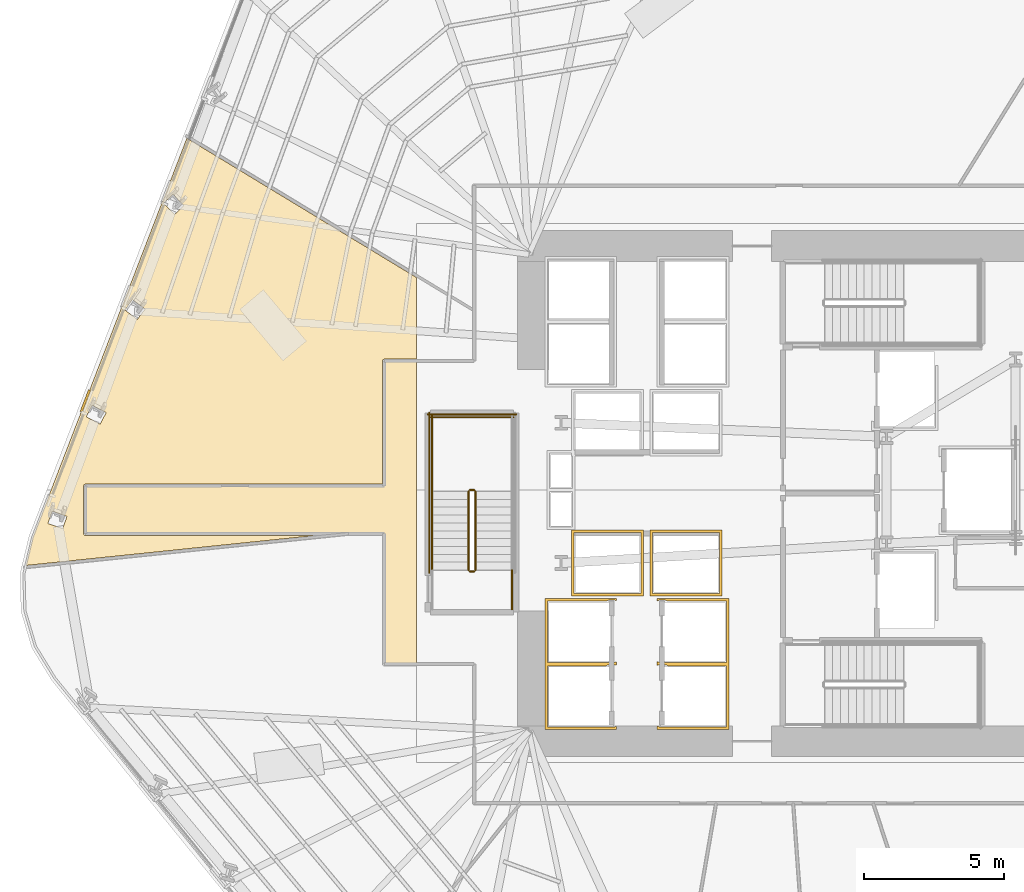
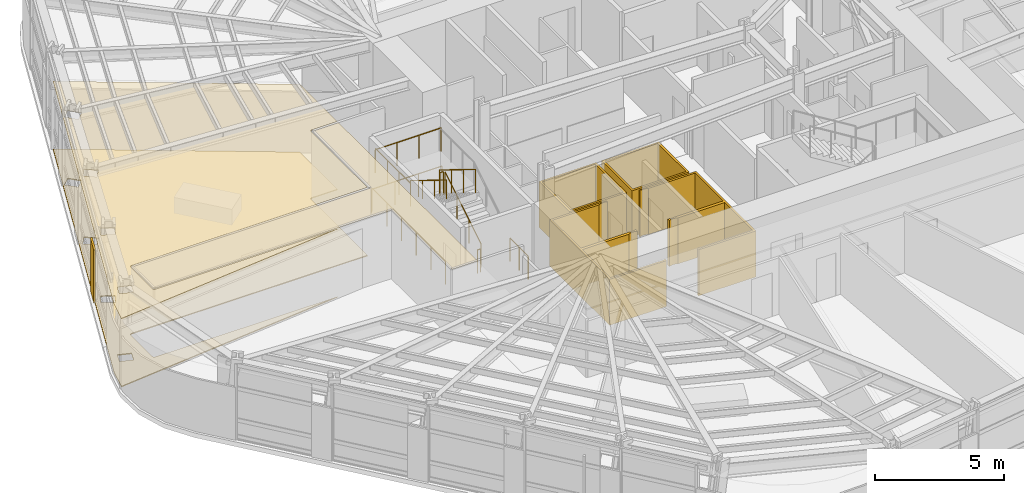
# One storey, part 11 of 16: 10 railings, 8 coverings.
"""IFC4 building model written with IfcOpenShell, lengths in metres."""

import ifcopenshell
import ifcopenshell.guid

model = None  # the IFC model being written
_history = None  # IfcOwnerHistory: only IFC2X3 demands one
_inside = {}  # id of a spatial element -> (the spatial element, [elements in it])
_under = {}  # id of a project, library or spatial element -> (it, [spatial elements below it])
_declared = {}  # id of a project -> (the project, [libraries it declares])
_typed = {}  # id of a type object -> (the type object, [elements of that type])
_made_of = {}  # id of a material, layer set ... -> (it, [elements and type objects made of it])


def new_model(schema):
    """Start an empty IFC model of exactly this schema.

    Asked for "IFC4X3", IfcOpenShell would pick the latest addendum, in which some entities
    have other attributes; the version numbers below select the first issue.
    IFC2X3 requires an IfcOwnerHistory on every rooted entity: one is made here for all.
    """
    global model, _history
    if schema == "IFC4X3":
        model = ifcopenshell.file(schema_version=(4, 3, 0, 0))
    else:
        model = ifcopenshell.file(schema=schema)
    _inside.clear()
    _under.clear()
    _declared.clear()
    _typed.clear()
    _made_of.clear()
    _history = None
    if model.schema == "IFC2X3":
        org = make("IfcOrganization", Name="unknown")
        user = make(
            "IfcPersonAndOrganization",
            ThePerson=make("IfcPerson", FamilyName="unknown"),
            TheOrganization=org,
        )
        app = make(
            "IfcApplication",
            ApplicationDeveloper=org,
            Version="unknown",
            ApplicationFullName="unknown",
            ApplicationIdentifier="unknown",
        )
        _history = make(
            "IfcOwnerHistory",
            OwningUser=user,
            OwningApplication=app,
            ChangeAction="ADDED",
            CreationDate=0,
        )
    return model


def make(cls, **values):
    """One entity of the class cls with the attributes given. An attribute that is None is left unset."""
    return model.create_entity(
        cls, **{name: value for name, value in values.items() if value is not None}
    )


def rooted(cls, **values):
    """An entity with a GlobalId (a new one), such as an element, a storey or a relation."""
    return make(cls, GlobalId=ifcopenshell.guid.new(), OwnerHistory=_history, **values)


def si_unit(unit_type, name, prefix=None):
    """IfcSIUnit, for example si_unit("LENGTHUNIT", "METRE", prefix="MILLI")."""
    return make("IfcSIUnit", UnitType=unit_type, Prefix=prefix, Name=name)


def assignment(units):
    """IfcUnitAssignment: the units of a project."""
    return None if units is None else make("IfcUnitAssignment", Units=units)


def point(xyz):
    """IfcCartesianPoint."""
    return None if xyz is None else make("IfcCartesianPoint", Coordinates=xyz)


def direction(xyz):
    """IfcDirection."""
    return None if xyz is None else make("IfcDirection", DirectionRatios=xyz)


def frame(location, z_axis=None, x_axis=None):
    """IfcAxis2Placement3D, a coordinate frame: its origin and axes. An axis left out is left unset."""
    return make(
        "IfcAxis2Placement3D",
        Location=point(location),
        Axis=direction(z_axis),
        RefDirection=direction(x_axis),
    )


def frame_2d(location, x_axis=None):
    """IfcAxis2Placement2D, a coordinate frame in the plane: its origin and x axis."""
    return make(
        "IfcAxis2Placement2D", Location=point(location), RefDirection=direction(x_axis)
    )


def origin():
    """The frame at (0, 0, 0) with its axes left unset."""
    return frame((0.0, 0.0, 0.0))


def origin_2d():
    """The frame at (0, 0) in the plane with its x axis left unset."""
    return frame_2d((0.0, 0.0))


def place(relative_to, where):
    """IfcLocalPlacement: puts the frame where relative to a parent placement (None: the world)."""
    return make(
        "IfcLocalPlacement", PlacementRelTo=relative_to, RelativePlacement=where
    )


def context(
    kind, dimensions, precision=None, world=None, true_north=None, identifier=None
):
    """IfcGeometricRepresentationContext, for example the 3D "Model" context."""
    return make(
        "IfcGeometricRepresentationContext",
        ContextIdentifier=identifier,
        ContextType=kind,
        CoordinateSpaceDimension=dimensions,
        Precision=precision,
        WorldCoordinateSystem=world,
        TrueNorth=true_north,
    )


def subcontext(parent, identifier, kind, view, scale=None):
    """IfcGeometricRepresentationSubContext, for example "Body" below "Model"."""
    return make(
        "IfcGeometricRepresentationSubContext",
        ContextIdentifier=identifier,
        ContextType=kind,
        ParentContext=parent,
        TargetScale=scale,
        TargetView=view,
    )


def project(units=None, contexts=None):
    """IfcProject with its units and contexts."""
    return rooted(
        "IfcProject",
        Name="project",
        RepresentationContexts=contexts,
        UnitsInContext=assignment(units),
    )


def spatial(cls, under=None, at=None, **own):
    """A site, building, storey or space (cls), placed at a placement, below another one or the project."""
    s = rooted(cls, ObjectPlacement=at, **own)
    if under is not None:
        _under.setdefault(under.id(), (under, []))[1].append(s)
    return s


def polyline(points):
    """IfcPolyline through the points."""
    return make("IfcPolyline", Points=[point(p) for p in points])


def profile(cls, at=None, kind="AREA", **sizes):
    """A parametric profile (cls). Its sizes go by their IFC names, for example OverallWidth=200.0."""
    return make(cls, ProfileType=kind, Position=at, **sizes)


def circle(**sizes):
    """IfcCircleProfileDef."""
    return profile("IfcCircleProfileDef", **sizes)


def outline(outer, holes=None, kind="AREA"):
    """IfcArbitraryClosedProfileDef: a profile drawn as a closed curve; with holes, ...WithVoids."""
    if holes is None:
        return make("IfcArbitraryClosedProfileDef", ProfileType=kind, OuterCurve=outer)
    return make(
        "IfcArbitraryProfileDefWithVoids",
        ProfileType=kind,
        OuterCurve=outer,
        InnerCurves=holes,
    )


def extrude(swept, where, along, depth):
    """IfcExtrudedAreaSolid: the profile swept, set in the frame where, extruded along a direction by depth."""
    return make(
        "IfcExtrudedAreaSolid",
        SweptArea=swept,
        Position=where,
        ExtrudedDirection=direction(along),
        Depth=depth,
    )


def shape(context_of_items, identifier, shape_type, items):
    """IfcShapeRepresentation: the items that make up one representation, for example the "Body"."""
    return make(
        "IfcShapeRepresentation",
        ContextOfItems=context_of_items,
        RepresentationIdentifier=identifier,
        RepresentationType=shape_type,
        Items=items,
    )


def material(Name=None, Category=None):
    """IfcMaterial."""
    return make("IfcMaterial", Name=Name, Category=Category)


def layer(
    of_material, thickness, ventilated=None, Name=None, Category=None, Priority=None
):
    """IfcMaterialLayer: one layer of a wall or slab, of a material (None: an air gap)."""
    return make(
        "IfcMaterialLayer",
        Material=of_material,
        LayerThickness=thickness,
        IsVentilated=ventilated,
        Name=Name,
        Category=Category,
        Priority=Priority,
    )


def layer_set(layers, Name=None):
    """IfcMaterialLayerSet."""
    return make("IfcMaterialLayerSet", MaterialLayers=layers, LayerSetName=Name)


def made_of(thing, what):
    """Note that an element or type object is made of a material, layer set ...; save() writes the relation."""
    if what is not None:
        _made_of.setdefault(what.id(), (what, []))[1].append(thing)
    return thing


def type_object(cls, material=None, **own):
    """A type object (cls), such as IfcWallType, which elements share."""
    return made_of(rooted(cls, **own), material)


def element(
    cls,
    number,
    at=None,
    inside=None,
    cuts=None,
    type_object=None,
    material=None,
    context=None,
    identifier="Body",
    shape_type=None,
    held_by="IfcProductDefinitionShape",
    body=None,
    shapes=None,
    **own,
):
    """One element of the class cls, such as IfcWall. Its Tag is "e" and its number.

    at: its placement. inside: the storey or other place that contains it. cuts: it is an
    opening in that element (IfcRelVoidsElement). A single representation is given by context,
    identifier, shape_type and body (its items); several are given by shapes. held_by: the class
    of the entity that holds the representations. save() writes the other relations.
    """
    e = rooted(cls, Tag="e%d" % number, ObjectPlacement=at, **own)
    if body is not None:
        shapes = [shape(context, identifier, shape_type, body)]
    if shapes is not None:
        e.Representation = make(held_by, Representations=shapes)
    if inside is not None:
        _inside.setdefault(inside.id(), (inside, []))[1].append(e)
    if cuts is not None:
        rooted(
            "IfcRelVoidsElement", RelatingBuildingElement=cuts, RelatedOpeningElement=e
        )
    if type_object is not None:
        _typed.setdefault(type_object.id(), (type_object, []))[1].append(e)
    return made_of(e, material)


def aggregate(whole, parts):
    """IfcRelAggregates: a whole, such as a stair, and the parts it consists of."""
    return rooted("IfcRelAggregates", RelatingObject=whole, RelatedObjects=parts)


def save(model, path):
    """Write the relations noted so far, then the file.

    IfcRelAggregates (storeys below a building ...), IfcRelContainedInSpatialStructure (elements
    in a storey), IfcRelDefinesByType, IfcRelAssociatesMaterial and IfcRelDeclares: one each for
    every whole, place, type object, material and project.
    """
    for whole, parts in _under.values():
        aggregate(whole, parts)
    for where, things in _inside.values():
        rooted(
            "IfcRelContainedInSpatialStructure",
            RelatedElements=things,
            RelatingStructure=where,
        )
    for kind, things in _typed.values():
        rooted("IfcRelDefinesByType", RelatedObjects=things, RelatingType=kind)
    for what, things in _made_of.values():
        rooted("IfcRelAssociatesMaterial", RelatedObjects=things, RelatingMaterial=what)
    for by, libraries in _declared.values():
        rooted("IfcRelDeclares", RelatingContext=by, RelatedDefinitions=libraries)
    model.write(path)


model = new_model("IFC4")

# Units and contexts
model_context = context("Model", 3, precision=1e-05, world=origin(), true_north=direction((0.0, 1.0)))
body_context = subcontext(model_context, "Body", "Model", "MODEL_VIEW")
ifc_project = project(units=[si_unit("LENGTHUNIT", "METRE"), si_unit("AREAUNIT", "SQUARE_METRE"), si_unit("VOLUMEUNIT", "CUBIC_METRE"), si_unit("PLANEANGLEUNIT", "RADIAN"), si_unit("MASSUNIT", "GRAM", prefix="KILO")], contexts=[model_context])

# Site, building, storey
site_placement = place(None, origin())
site = spatial("IfcSite", under=ifc_project, at=site_placement, CompositionType="ELEMENT")
building_placement = place(site_placement, origin())
building = spatial("IfcBuilding", under=site, at=building_placement, Name="Valkerne Bourse Tower", CompositionType="ELEMENT")
storey_placement = place(building_placement, frame((0.0, 0.0, 62.0)))
storey = spatial("IfcBuildingStorey", under=building, at=storey_placement, Name="L15", CompositionType="ELEMENT", Elevation=62.0)

# Coverings
ifc_material_1 = material(Name="Mineral Fiber Acoustic Ceiling Tile", Category="acoustic")
ifc_layer_1 = layer(ifc_material_1, 0.02490234375)
ifc_layer_set_1 = layer_set([ifc_layer_1], Name="Mineral Fiber Acoustic Ceiling Tile")
covering_type_1 = type_object("IfcCoveringType", Name="COV-CEIL-ACT", PredefinedType="CEILING", material=ifc_layer_set_1)
covering_1_placement = place(storey_placement, frame((0.0, 0.0, 3.22998046875)))
element("IfcCovering", 1, at=covering_1_placement, inside=storey, type_object=covering_type_1, Name="L15 Suspended Ceiling 05", PredefinedType="CEILING", context=body_context, shape_type="SweptSolid", body=[
    extrude(outline(polyline([(33.60009765625, 34.573974609375), (33.60009765625, 31.6689453125), (32.449462890625, 31.6689453125), (32.419921875, 31.662109375), (32.39404296875, 31.640625), (32.381103515625, 31.6005859375), (32.381103515625, 27.218994140625), (21.79931640625, 27.218994140625), (21.75830078125, 27.205322265625), (21.73291015625, 27.16650390625), (21.731201171875, 25.446533203125), (21.744873046875, 25.408203125), (21.783447265625, 25.3828125), (29.976806640625, 25.381103515625), (19.678466796875, 24.315673828125), (19.917236328125, 25.309814453125), (25.409912109375, 39.5419921875), (33.60009765625, 34.573974609375)]), holes=[polyline([(21.1337890625, 26.063720703125), (20.607421875, 26.243408203125), (20.45849609375, 25.813232421875), (20.458740234375, 25.8095703125), (20.985107421875, 25.629638671875), (21.1337890625, 26.059814453125), (21.1337890625, 26.063720703125)]), polyline([(22.5302734375, 29.7578125), (22.53076171875, 29.761474609375), (22.037109375, 30.017822265625), (21.82568359375, 29.6142578125), (21.8251953125, 29.610595703125), (22.319091796875, 29.3544921875), (22.5302734375, 29.7578125)]), polyline([(23.920166015625, 33.453125), (23.47412109375, 33.78564453125), (23.20068359375, 33.421142578125), (23.19970703125, 33.417724609375), (23.6455078125, 33.08544921875), (23.919189453125, 33.44970703125), (23.920166015625, 33.453125)]), polyline([(25.29833984375, 37.1396484375), (25.2998046875, 37.142822265625), (24.914794921875, 37.544189453125), (24.5849609375, 37.22998046875), (24.58349609375, 37.226806640625), (24.968505859375, 36.825439453125), (25.29833984375, 37.1396484375)])]), origin(), (0.0, 0.0, 1.0), 0.02490234375),
])
ifc_material_2 = material(Name="Bronze Anodised Aluminium AA 6063-T6", Category="aluminium")
ifc_layer_2 = layer(ifc_material_2, 0.030029296875)
ifc_layer_set_2 = layer_set([ifc_layer_2], Name="Bronze Anodised Aluminium AA 6063-T6")
covering_type_2 = type_object("IfcCoveringType", Name="COV-CEIL-METAL", PredefinedType="CEILING", material=ifc_layer_set_2)
covering_2_placement = place(storey_placement, frame((0.0, 0.0, 3.22998046875)))
element("IfcCovering", 2, at=covering_2_placement, inside=storey, type_object=covering_type_2, Name="L15 Suspended Ceiling 02", PredefinedType="CEILING", context=body_context, shape_type="SweptSolid", body=[
    extrude(outline(polyline([(32.4541015625, 20.803955078125), (32.4541015625, 25.4541015625), (21.803955078125, 25.4541015625), (21.803955078125, 27.14599609375), (32.4541015625, 27.14599609375), (32.4541015625, 31.595947265625), (33.60009765625, 31.595947265625), (33.60009765625, 20.803955078125), (32.4541015625, 20.803955078125)])), origin(), (0.0, 0.0, 1.0), 0.02490234375),
])
ifc_layer_3 = layer(ifc_material_2, 0.06005859375)
ifc_layer_set_3 = layer_set([ifc_layer_3], Name="Bronze Anodised Aluminium AA 6063-T6")
covering_type_3 = type_object("IfcCoveringType", Name="COV-CRN-ALUM", PredefinedType="CLADDING", material=ifc_layer_set_3)
covering_3_placement = place(storey_placement, origin())
element("IfcCovering", 3, at=covering_3_placement, inside=storey, type_object=covering_type_3, Name="L15 Wind-Shaped Corner Aluminium Cladding 12", PredefinedType="CLADDING", context=body_context, shape_type="SweptSolid", body=[
    extrude(outline(polyline([(21.906005859375, 30.58544921875), (21.980712890625, 30.556640625), (21.67822265625, 29.77294921875), (21.603515625, 29.801513671875), (21.906005859375, 30.58544921875)])), origin(), (0.0, 0.0, 1.0), 2.5),
])
ifc_material_3 = material(Name="Galvanised Painted Steel", Category="steel")
ifc_layer_4 = layer(ifc_material_3, 0.044921875)
ifc_layer_set_4 = layer_set([ifc_layer_4], Name="Galvanised Painted Steel")
covering_type_4 = type_object("IfcCoveringType", Name="COV-FLR-RAF", PredefinedType="FLOORING", material=ifc_layer_set_4)
covering_4_placement = place(storey_placement, origin())
element("IfcCovering", 4, at=covering_4_placement, inside=storey, type_object=covering_type_4, Name="L15 Floor Finish 05", PredefinedType="FLOORING", context=body_context, shape_type="SweptSolid", body=[
    extrude(outline(polyline([(33.60009765625, 34.573974609375), (33.60009765625, 31.6689453125), (32.449462890625, 31.6689453125), (32.419921875, 31.662109375), (32.39404296875, 31.640625), (32.381103515625, 31.6005859375), (32.381103515625, 27.218994140625), (21.79931640625, 27.218994140625), (21.75830078125, 27.205322265625), (21.73291015625, 27.16650390625), (21.731201171875, 25.446533203125), (21.744873046875, 25.408203125), (21.783447265625, 25.3828125), (29.976806640625, 25.381103515625), (19.678466796875, 24.315673828125), (19.917236328125, 25.309814453125), (25.409912109375, 39.5419921875), (33.60009765625, 34.573974609375)]), holes=[polyline([(21.1337890625, 26.063720703125), (20.607421875, 26.243408203125), (20.45849609375, 25.813232421875), (20.458740234375, 25.8095703125), (20.985107421875, 25.629638671875), (21.1337890625, 26.059814453125), (21.1337890625, 26.063720703125)]), polyline([(22.5302734375, 29.7578125), (22.53076171875, 29.761474609375), (22.037109375, 30.017822265625), (21.82568359375, 29.6142578125), (21.8251953125, 29.610595703125), (22.319091796875, 29.3544921875), (22.5302734375, 29.7578125)]), polyline([(23.920166015625, 33.453125), (23.47412109375, 33.78564453125), (23.20068359375, 33.421142578125), (23.19970703125, 33.417724609375), (23.6455078125, 33.08544921875), (23.919189453125, 33.44970703125), (23.920166015625, 33.453125)]), polyline([(25.29833984375, 37.1396484375), (25.2998046875, 37.142822265625), (24.914794921875, 37.544189453125), (24.5849609375, 37.22998046875), (24.58349609375, 37.226806640625), (24.968505859375, 36.825439453125), (25.29833984375, 37.1396484375)])]), origin(), (0.0, 0.0, 1.0), 0.044921875),
])
ifc_material_4 = material(Name="Gypsum Shaftwall Liner Board", Category="gypsum")
ifc_layer_5 = layer(ifc_material_4, 0.080078125)
ifc_layer_set_5 = layer_set([ifc_layer_5], Name="Gypsum Shaftwall Liner Board")
covering_type_5 = type_object("IfcCoveringType", Name="COV-SHF-CLAD", PredefinedType="CLADDING", material=ifc_layer_set_5)
covering_5_placement = place(storey_placement, origin())
element("IfcCovering", 5, at=covering_5_placement, inside=storey, type_object=covering_type_5, Name="L15 Hoistway & Riser Shaftwall Liner 01", PredefinedType="CLADDING", context=body_context, shape_type="SweptSolid", body=[
    extrude(outline(polyline([(38.169921875, 23.1298828125), (40.72998046875, 23.1298828125), (40.72998046875, 23.052001953125), (40.72216796875, 23.0556640625), (40.6806640625, 23.070556640625), (40.6376953125, 23.081298828125), (40.593994140625, 23.087890625), (40.550048828125, 23.090087890625), (40.505859375, 23.087890625), (40.462158203125, 23.081298828125), (40.41943359375, 23.070556640625), (40.377685546875, 23.0556640625), (40.344482421875, 23.0400390625), (38.260009765625, 23.0400390625), (38.260009765625, 20.860107421875), (40.456787109375, 20.860107421875), (40.462158203125, 20.858642578125), (40.505859375, 20.852294921875), (40.550048828125, 20.85009765625), (40.593994140625, 20.852294921875), (40.6376953125, 20.858642578125), (40.6806640625, 20.869384765625), (40.72216796875, 20.88427734375), (40.72998046875, 20.887939453125), (40.72998046875, 20.830078125), (40.72998046875, 20.77001953125), (40.72998046875, 20.752197265625), (40.72216796875, 20.755615234375), (40.6806640625, 20.7705078125), (40.6376953125, 20.781494140625), (40.593994140625, 20.787841796875), (40.550048828125, 20.7900390625), (40.505859375, 20.787841796875), (40.462158203125, 20.781494140625), (40.41943359375, 20.7705078125), (40.377685546875, 20.755615234375), (40.344482421875, 20.739990234375), (38.260009765625, 20.739990234375), (38.260009765625, 18.56005859375), (40.456787109375, 18.56005859375), (40.462158203125, 18.55859375), (40.505859375, 18.55224609375), (40.550048828125, 18.550048828125), (40.593994140625, 18.55224609375), (40.6376953125, 18.55859375), (40.6806640625, 18.5693359375), (40.72216796875, 18.584228515625), (40.72998046875, 18.587890625), (40.72998046875, 18.469970703125), (38.169921875, 18.469970703125), (38.169921875, 20.77001953125), (38.169921875, 20.830078125), (38.169921875, 23.1298828125)])), origin(), (0.0, 0.0, 1.0), 2.179931640625),
])
covering_6_placement = place(storey_placement, origin())
element("IfcCovering", 6, at=covering_6_placement, inside=storey, type_object=covering_type_5, Name="L15 Hoistway & Riser Shaftwall Liner 02", PredefinedType="CLADDING", context=body_context, shape_type="SweptSolid", body=[
    extrude(outline(polyline([(41.679931640625, 23.219970703125), (39.1201171875, 23.219970703125), (39.1201171875, 25.580078125), (41.679931640625, 25.580078125), (41.679931640625, 23.219970703125)]), holes=[polyline([(39.2099609375, 25.489990234375), (39.2099609375, 23.31005859375), (41.590087890625, 23.31005859375), (41.590087890625, 25.489990234375), (39.2099609375, 25.489990234375)])]), origin(), (0.0, 0.0, 1.0), 2.179931640625),
])
covering_7_placement = place(storey_placement, origin())
element("IfcCovering", 7, at=covering_7_placement, inside=storey, type_object=covering_type_5, Name="L15 Hoistway & Riser Shaftwall Liner 03", PredefinedType="CLADDING", context=body_context, shape_type="SweptSolid", body=[
    extrude(outline(polyline([(44.47998046875, 23.219970703125), (41.919921875, 23.219970703125), (41.919921875, 25.580078125), (44.47998046875, 25.580078125), (44.47998046875, 23.219970703125)]), holes=[polyline([(42.010009765625, 25.489990234375), (42.010009765625, 23.31005859375), (44.389892578125, 23.31005859375), (44.389892578125, 25.489990234375), (42.010009765625, 25.489990234375)])]), origin(), (0.0, 0.0, 1.0), 2.179931640625),
])
covering_8_placement = place(storey_placement, origin())
element("IfcCovering", 8, at=covering_8_placement, inside=storey, type_object=covering_type_5, Name="L15 Hoistway & Riser Shaftwall Liner 06", PredefinedType="CLADDING", context=body_context, shape_type="SweptSolid", body=[
    extrude(outline(polyline([(42.169921875, 20.830078125), (42.169921875, 20.887939453125), (42.177734375, 20.88427734375), (42.219482421875, 20.869384765625), (42.26220703125, 20.858642578125), (42.305908203125, 20.852294921875), (42.35009765625, 20.85009765625), (42.39404296875, 20.852294921875), (42.437744140625, 20.858642578125), (42.443115234375, 20.860107421875), (44.639892578125, 20.860107421875), (44.639892578125, 23.0400390625), (42.555419921875, 23.0400390625), (42.522216796875, 23.0556640625), (42.480712890625, 23.070556640625), (42.437744140625, 23.081298828125), (42.39404296875, 23.087890625), (42.35009765625, 23.090087890625), (42.305908203125, 23.087890625), (42.26220703125, 23.081298828125), (42.219482421875, 23.070556640625), (42.177734375, 23.0556640625), (42.169921875, 23.052001953125), (42.169921875, 23.1298828125), (44.72998046875, 23.1298828125), (44.72998046875, 20.830078125), (44.72998046875, 20.77001953125), (44.72998046875, 18.469970703125), (42.169921875, 18.469970703125), (42.169921875, 18.587890625), (42.177734375, 18.584228515625), (42.219482421875, 18.5693359375), (42.26220703125, 18.55859375), (42.305908203125, 18.55224609375), (42.35009765625, 18.550048828125), (42.39404296875, 18.55224609375), (42.437744140625, 18.55859375), (42.443115234375, 18.56005859375), (44.639892578125, 18.56005859375), (44.639892578125, 20.739990234375), (42.555419921875, 20.739990234375), (42.522216796875, 20.755615234375), (42.480712890625, 20.7705078125), (42.437744140625, 20.781494140625), (42.39404296875, 20.787841796875), (42.35009765625, 20.7900390625), (42.305908203125, 20.787841796875), (42.26220703125, 20.781494140625), (42.219482421875, 20.7705078125), (42.177734375, 20.755615234375), (42.169921875, 20.752197265625), (42.169921875, 20.77001953125), (42.169921875, 20.830078125)])), origin(), (0.0, 0.0, 1.0), 2.179931640625),
])

# Railings
railing_type_1 = type_object("IfcRailingType", Name="RLG-ST-GUARD-1120", PredefinedType="GUARDRAIL", material=ifc_material_3)
railing_1_placement = place(storey_placement, frame((35.699951171875, 24.14990234375, 0.172607421875)))
element("IfcRailing", 9, at=railing_1_placement, inside=storey, type_object=railing_type_1, Name="L15 ST-3 stair guard 1", PredefinedType="GUARDRAIL", context=body_context, shape_type="SweptSolid", body=[
    extrude(circle(Radius=0.02392578125, at=origin_2d()), frame((0.0, 0.0, 1.09619140625), z_axis=(0.0, 0.851089632645, 0.525020415988), x_axis=(-1.0, 0.0, 0.0)), (0.0, 0.0, 1.0), 3.2900390625),
    extrude(circle(Radius=0.02099609375, at=origin_2d()), origin(), (0.0, 0.0, 1.0), 1.072021484375),
    extrude(circle(Radius=0.02099609375, at=origin_2d()), frame((0.0, 0.933349609375, 0.57568359375)), (0.0, 0.0, 1.0), 1.072021484375),
    extrude(circle(Radius=0.02099609375, at=origin_2d()), frame((0.0, 1.86669921875, 1.151611328125)), (0.0, 0.0, 1.0), 1.072021484375),
    extrude(circle(Radius=0.02099609375, at=origin_2d()), frame((0.0, 2.800048828125, 1.727294921875)), (0.0, 0.0, 1.0), 1.072021484375),
])
railing_2_placement = place(storey_placement, frame((35.64990234375, 27.0, 1.89990234375)))
element("IfcRailing", 10, at=railing_2_placement, inside=storey, type_object=railing_type_1, Name="L15 ST-3 stair guard 2", PredefinedType="GUARDRAIL", context=body_context, shape_type="SweptSolid", body=[
    extrude(circle(Radius=0.02392578125, at=origin_2d()), frame((0.0, 0.0, 1.09619140625), z_axis=(-1.0, 0.0, 0.0), x_axis=(0.0, -1.0, 0.0)), (0.0, 0.0, 1.0), 0.14990234375),
    extrude(circle(Radius=0.02099609375, at=origin_2d()), origin(), (0.0, 0.0, 1.0), 1.072021484375),
    extrude(circle(Radius=0.02099609375, at=origin_2d()), frame((-0.14990234375, 0.0, 0.0)), (0.0, 0.0, 1.0), 1.072021484375),
])
railing_3_placement = place(storey_placement, frame((34.14990234375, 26.949951171875, 1.89990234375)))
element("IfcRailing", 11, at=railing_3_placement, inside=storey, type_object=railing_type_1, Name="L15 ST-3 stair guard 4", PredefinedType="GUARDRAIL", context=body_context, shape_type="SweptSolid", body=[
    extrude(circle(Radius=0.02392578125, at=origin_2d()), frame((0.0, 0.0, 1.09619140625), z_axis=(0.0, 1.0, 0.0), x_axis=(-1.0, 0.0, 0.0)), (0.0, 0.0, 1.0), 2.699951171875),
    extrude(circle(Radius=0.02099609375, at=origin_2d()), origin(), (0.0, 0.0, 1.0), 1.072021484375),
    extrude(circle(Radius=0.02099609375, at=origin_2d()), frame((0.0, 0.89990234375, 0.0)), (0.0, 0.0, 1.0), 1.072021484375),
    extrude(circle(Radius=0.02099609375, at=origin_2d()), frame((0.0, 1.800048828125, 0.0)), (0.0, 0.0, 1.0), 1.072021484375),
    extrude(circle(Radius=0.02099609375, at=origin_2d()), frame((0.0, 2.699951171875, 0.0)), (0.0, 0.0, 1.0), 1.072021484375),
])
railing_4_placement = place(storey_placement, frame((37.050048828125, 29.60009765625, 1.89990234375)))
element("IfcRailing", 12, at=railing_4_placement, inside=storey, type_object=railing_type_1, Name="L15 ST-3 stair guard 5", PredefinedType="GUARDRAIL", context=body_context, shape_type="SweptSolid", body=[
    extrude(circle(Radius=0.02392578125, at=origin_2d()), frame((0.0, 0.0, 1.09619140625), z_axis=(-1.0, 0.0, 0.0), x_axis=(0.0, -1.0, 0.0)), (0.0, 0.0, 1.0), 2.949951171875),
    extrude(circle(Radius=0.02099609375, at=origin_2d()), origin(), (0.0, 0.0, 1.0), 1.072021484375),
    extrude(circle(Radius=0.02099609375, at=origin_2d()), frame((-0.9833984375, 0.0, 0.0)), (0.0, 0.0, 1.0), 1.072021484375),
    extrude(circle(Radius=0.02099609375, at=origin_2d()), frame((-1.966552734375, 0.0, 0.0)), (0.0, 0.0, 1.0), 1.072021484375),
    extrude(circle(Radius=0.02099609375, at=origin_2d()), frame((-2.949951171875, 0.0, 0.0)), (0.0, 0.0, 1.0), 1.072021484375),
])
railing_5_placement = place(storey_placement, frame((35.449951171875, 26.949951171875, 2.07275390625)))
element("IfcRailing", 13, at=railing_5_placement, inside=storey, type_object=railing_type_1, Name="L15 ST-3 stair guard 6", PredefinedType="GUARDRAIL", context=body_context, shape_type="SweptSolid", body=[
    extrude(circle(Radius=0.02392578125, at=origin_2d()), frame((0.0, 0.0, 1.09619140625), z_axis=(0.0, -0.851089632645, 0.525020415988), x_axis=(1.0, 0.0, 0.0)), (0.0, 0.0, 1.0), 3.2900390625),
    extrude(circle(Radius=0.02099609375, at=origin_2d()), origin(), (0.0, 0.0, 1.0), 1.072021484375),
    extrude(circle(Radius=0.02099609375, at=origin_2d()), frame((0.0, -0.933349609375, 0.57568359375)), (0.0, 0.0, 1.0), 1.072021484375),
    extrude(circle(Radius=0.02099609375, at=origin_2d()), frame((0.0, -1.86669921875, 1.151611328125)), (0.0, 0.0, 1.0), 1.072021484375),
    extrude(circle(Radius=0.02099609375, at=origin_2d()), frame((0.0, -2.800048828125, 1.727294921875)), (0.0, 0.0, 1.0), 1.072021484375),
])
railing_6_placement = place(storey_placement, frame((35.64990234375, 24.10009765625, 0.0)))
element("IfcRailing", 14, at=railing_6_placement, inside=storey, type_object=railing_type_1, Name="L15 ST-3 stair guard 7", PredefinedType="GUARDRAIL", context=body_context, shape_type="SweptSolid", body=[
    extrude(circle(Radius=0.02392578125, at=origin_2d()), frame((0.0, 0.0, 1.09619140625), z_axis=(-1.0, 0.0, 0.0), x_axis=(0.0, -1.0, 0.0)), (0.0, 0.0, 1.0), 0.14990234375),
    extrude(circle(Radius=0.02099609375, at=origin_2d()), origin(), (0.0, 0.0, 1.0), 1.072021484375),
    extrude(circle(Radius=0.02099609375, at=origin_2d()), frame((-0.14990234375, 0.0, 0.0)), (0.0, 0.0, 1.0), 1.072021484375),
])
railing_7_placement = place(storey_placement, frame((37.0, 22.75, 0.0)))
element("IfcRailing", 15, at=railing_7_placement, inside=storey, type_object=railing_type_1, Name="L15 ST-3 stair guard 8", PredefinedType="GUARDRAIL", context=body_context, shape_type="SweptSolid", body=[
    extrude(circle(Radius=0.02392578125, at=origin_2d()), frame((0.0, 0.0, 1.09619140625), z_axis=(0.0, 1.0, 0.0), x_axis=(-1.0, 0.0, 0.0)), (0.0, 0.0, 1.0), 1.39990234375),
    extrude(circle(Radius=0.02099609375, at=origin_2d()), origin(), (0.0, 0.0, 1.0), 1.072021484375),
    extrude(circle(Radius=0.02099609375, at=origin_2d()), frame((0.0, 0.699951171875, 0.0)), (0.0, 0.0, 1.0), 1.072021484375),
    extrude(circle(Radius=0.02099609375, at=origin_2d()), frame((0.0, 1.39990234375, 0.0)), (0.0, 0.0, 1.0), 1.072021484375),
])
railing_8_placement = place(storey_placement, frame((34.050048828125, 24.050048828125, 0.0)))
element("IfcRailing", 16, at=railing_8_placement, inside=storey, type_object=railing_type_1, Name="L15 ST-3 stair guard 11", PredefinedType="GUARDRAIL", context=body_context, shape_type="SweptSolid", body=[
    extrude(circle(Radius=0.02392578125, at=origin_2d()), frame((0.0, 0.0, 1.09619140625), z_axis=(0.0, 1.0, 0.0), x_axis=(-1.0, 0.0, 0.0)), (0.0, 0.0, 1.0), 5.699951171875),
    extrude(circle(Radius=0.02099609375, at=origin_2d()), origin(), (0.0, 0.0, 1.0), 1.072021484375),
    extrude(circle(Radius=0.02099609375, at=origin_2d()), frame((0.0, 1.139892578125, 0.0)), (0.0, 0.0, 1.0), 1.072021484375),
    extrude(circle(Radius=0.02099609375, at=origin_2d()), frame((0.0, 2.280029296875, 0.0)), (0.0, 0.0, 1.0), 1.072021484375),
    extrude(circle(Radius=0.02099609375, at=origin_2d()), frame((0.0, 3.419921875, 0.0)), (0.0, 0.0, 1.0), 1.072021484375),
    extrude(circle(Radius=0.02099609375, at=origin_2d()), frame((0.0, 4.56005859375, 0.0)), (0.0, 0.0, 1.0), 1.072021484375),
    extrude(circle(Radius=0.02099609375, at=origin_2d()), frame((0.0, 5.699951171875, 0.0)), (0.0, 0.0, 1.0), 1.072021484375),
])
railing_9_placement = place(storey_placement, frame((37.14990234375, 29.699951171875, 0.0)))
element("IfcRailing", 17, at=railing_9_placement, inside=storey, type_object=railing_type_1, Name="L15 ST-3 stair guard 12", PredefinedType="GUARDRAIL", context=body_context, shape_type="SweptSolid", body=[
    extrude(circle(Radius=0.02392578125, at=origin_2d()), frame((0.0, 0.0, 1.09619140625), z_axis=(-1.0, 0.0, 0.0), x_axis=(0.0, -1.0, 0.0)), (0.0, 0.0, 1.0), 3.14990234375),
    extrude(circle(Radius=0.02099609375, at=origin_2d()), origin(), (0.0, 0.0, 1.0), 1.072021484375),
    extrude(circle(Radius=0.02099609375, at=origin_2d()), frame((-1.050048828125, 0.0, 0.0)), (0.0, 0.0, 1.0), 1.072021484375),
    extrude(circle(Radius=0.02099609375, at=origin_2d()), frame((-2.099853515625, 0.0, 0.0)), (0.0, 0.0, 1.0), 1.072021484375),
    extrude(circle(Radius=0.02099609375, at=origin_2d()), frame((-3.14990234375, 0.0, 0.0)), (0.0, 0.0, 1.0), 1.072021484375),
])
ifc_material_5 = material(Name="Stainless Steel AISI 316", Category="steel")
railing_type_2 = type_object("IfcRailingType", Name="RLG-ST-HANDRAIL-900", PredefinedType="HANDRAIL", material=ifc_material_5)
railing_10_placement = place(storey_placement, frame((34.14990234375, 26.949951171875, 2.245361328125)))
element("IfcRailing", 18, at=railing_10_placement, inside=storey, type_object=railing_type_2, Name="L15 ST-3 stair handrail 2", PredefinedType="HANDRAIL", context=body_context, shape_type="SweptSolid", body=[
    extrude(circle(Radius=0.02392578125, at=origin_2d()), frame((0.0, 0.0, 0.8759765625), z_axis=(0.0, -0.851089632645, 0.525020415988), x_axis=(1.0, 0.0, 0.0)), (0.0, 0.0, 1.0), 3.2900390625),
    extrude(circle(Radius=0.02099609375, at=origin_2d()), origin(), (0.0, 0.0, 1.0), 0.851806640625),
    extrude(circle(Radius=0.02099609375, at=origin_2d()), frame((0.0, -0.933349609375, 0.57568359375)), (0.0, 0.0, 1.0), 0.851806640625),
    extrude(circle(Radius=0.02099609375, at=origin_2d()), frame((0.0, -1.86669921875, 1.151611328125)), (0.0, 0.0, 1.0), 0.851806640625),
    extrude(circle(Radius=0.02099609375, at=origin_2d()), frame((0.0, -2.800048828125, 1.727294921875)), (0.0, 0.0, 1.0), 0.851806640625),
])

save(model, "model.ifc")
